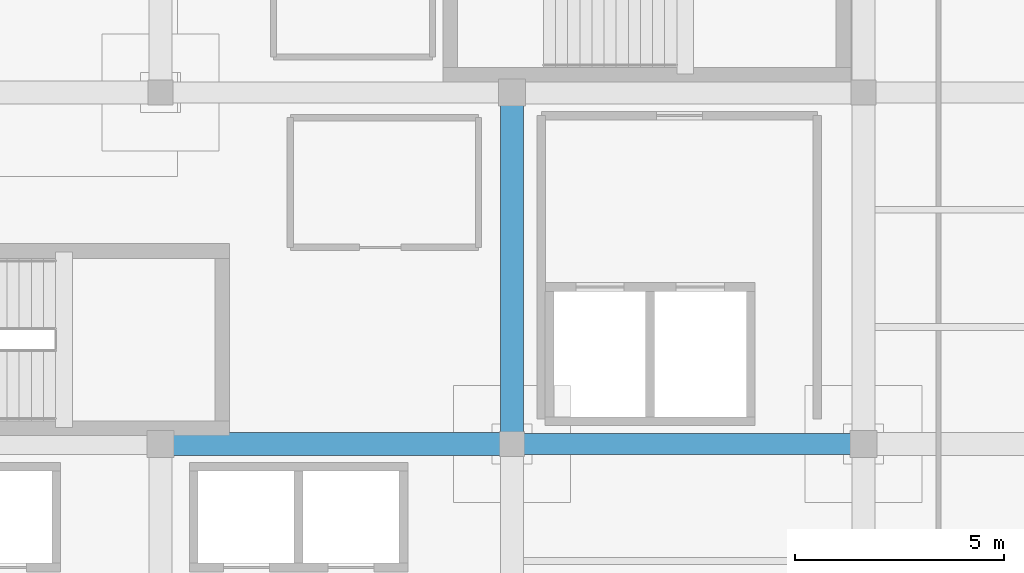
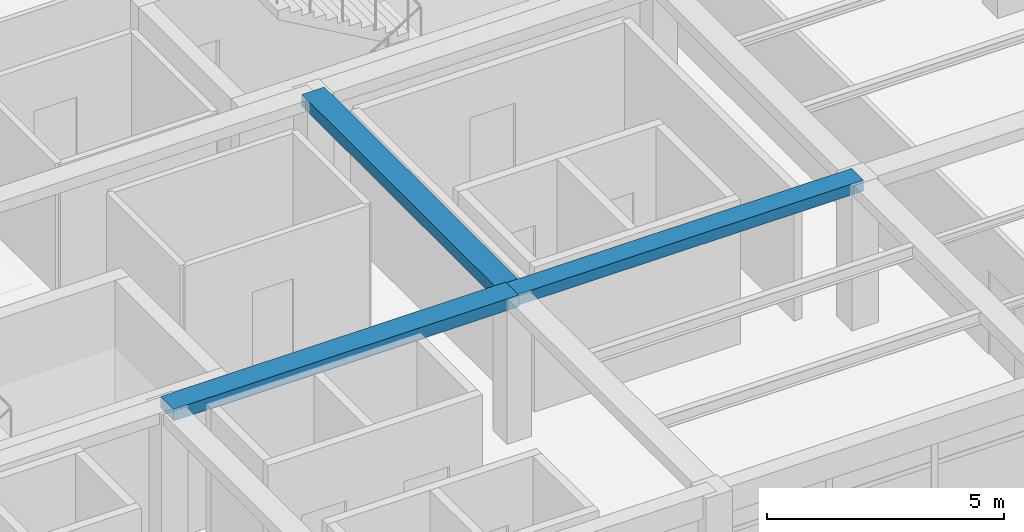
# One storey, part 6 of 26: 3 beams.
"""IFC4 building model written with IfcOpenShell, lengths in metres."""

from ifc_helpers import new_model, si_unit, direction, frame, origin, origin_2d, place, context, subcontext, project, spatial, rectangle, extrude, material, material_profile, profile_set, type_object, element, save


model = new_model("IFC4")

# Units and contexts
model_context = context("Model", 3, precision=1e-05, world=origin(), true_north=direction((0.0, 1.0)))
body_context = subcontext(model_context, "Body", "Model", "MODEL_VIEW")
ifc_project = project(units=[si_unit("LENGTHUNIT", "METRE"), si_unit("AREAUNIT", "SQUARE_METRE"), si_unit("VOLUMEUNIT", "CUBIC_METRE"), si_unit("PLANEANGLEUNIT", "RADIAN"), si_unit("MASSUNIT", "GRAM", prefix="KILO")], contexts=[model_context])

# Site, building, storey
site_placement = place(None, origin())
site = spatial("IfcSite", under=ifc_project, at=site_placement, CompositionType="ELEMENT")
building_placement = place(site_placement, origin())
building = spatial("IfcBuilding", under=site, at=building_placement, Name="Almacenes y Pasaje Nevantli", CompositionType="ELEMENT")
storey_placement = place(building_placement, frame((0.0, 0.0, 42.699951171875)))
storey = spatial("IfcBuildingStorey", under=building, at=storey_placement, Name="L10", CompositionType="ELEMENT", Elevation=42.699951171875)

# Beams
ifc_material_1 = material(Name="Concrete C35/45", Category="concrete")
ifc_material_profile_1 = material_profile(ifc_material_1, rectangle(XDim=0.5, YDim=0.280029296875, at=origin_2d()), Name="RC-BM-500x280")
ifc_profile_set_1 = profile_set([ifc_material_profile_1], Name="Concrete C35/45")
beam_type_1 = type_object("IfcBeamType", Name="BM-RC-500x280", PredefinedType="BEAM", material=ifc_profile_set_1)
beam_placement = place(storey_placement, frame((134.39990234375, 75.60009765625, 3.580078125), z_axis=(1.0, 0.0, 0.0), x_axis=(0.0, 1.0, 0.0)))
element("IfcBeam", 1, at=beam_placement, inside=storey, type_object=beam_type_1, Name="L10 East-West Reinforced Concrete Beam #3804", PredefinedType="BEAM", context=body_context, shape_type="SweptSolid", body=[
    extrude(rectangle(XDim=0.5, YDim=0.280029296875, at=origin_2d()), origin(), (0.0, 0.0, 1.0), 8.400146484375),
])
ifc_material_2 = material(Name="Concrete C35/45", Category="concrete")
ifc_material_profile_2 = material_profile(ifc_material_2, rectangle(XDim=0.550048828125, YDim=0.300048828125, at=origin_2d()), Name="RC-BM-550x300")
ifc_profile_set_2 = profile_set([ifc_material_profile_2], Name="Concrete C35/45")
beam_type_2 = type_object("IfcBeamType", Name="BM-RC-550x300", PredefinedType="BEAM", material=ifc_profile_set_2)
for number, where, z_axis, x_axis, name in (
    (2, (126.0, 75.60009765625, 3.570068359375), (1.0, 0.0, 0.0), (0.0, 1.0, 0.0), "L10 East-West Reinforced Concrete Beam #3803"),
    (3, (134.39990234375, 75.60009765625, 3.570068359375), (0.0, 1.0, 0.0), (-1.0, 0.0, 0.0), "L10 North-South Reinforced Concrete Beam #3830"),
):
    element("IfcBeam", number, at=place(storey_placement, frame(where, z_axis=z_axis, x_axis=x_axis)), inside=storey, type_object=beam_type_2, Name=name, PredefinedType="BEAM", context=body_context, shape_type="SweptSolid", body=[
        extrude(rectangle(XDim=0.550048828125, YDim=0.300048828125, at=origin_2d()), origin(), (0.0, 0.0, 1.0), 8.39990234375),
    ])

save(model, "model.ifc")
